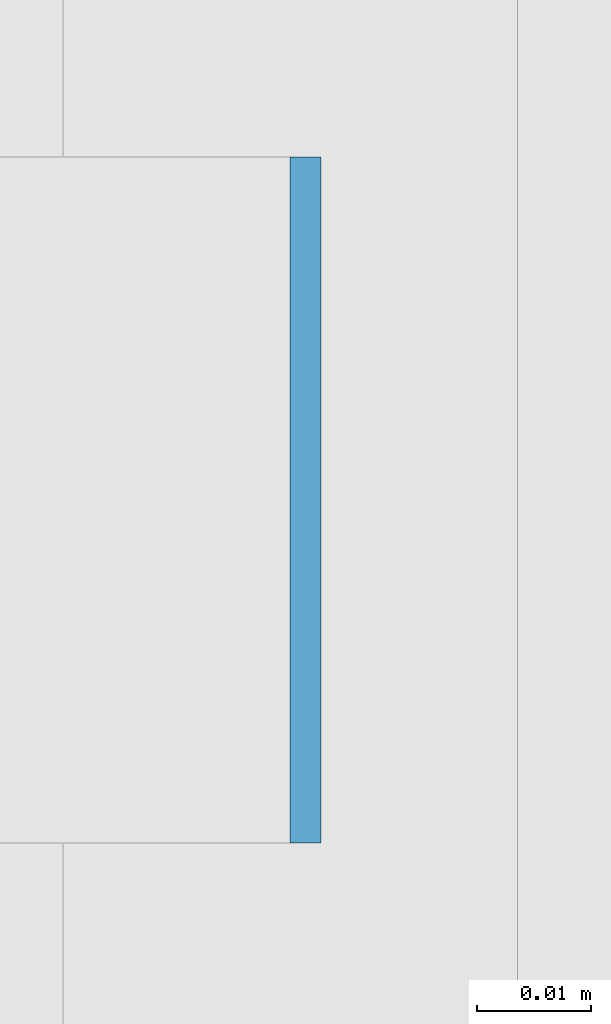
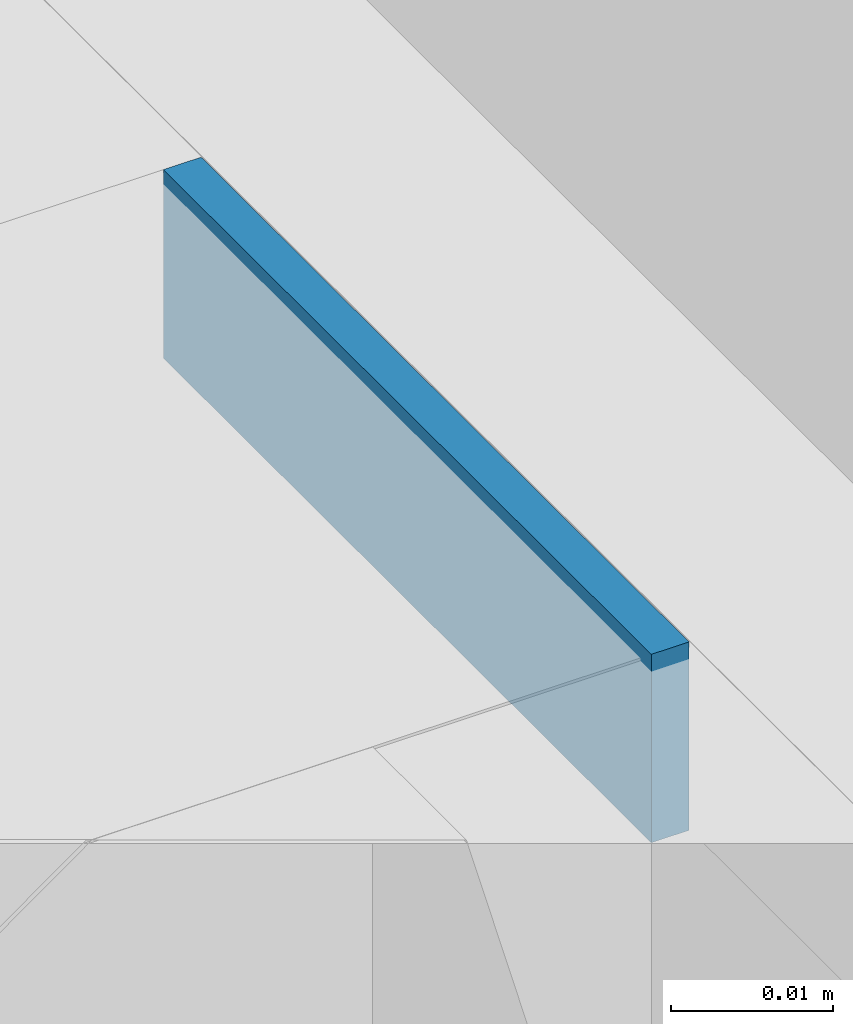
# One storey, part 293 of 646: 1 discrete accessory.
"""IFC4 building model written with IfcOpenShell, lengths in metres."""

import ifcopenshell
import ifcopenshell.guid

model = None  # the IFC model being written
_history = None  # IfcOwnerHistory: only IFC2X3 demands one
_inside = {}  # id of a spatial element -> (the spatial element, [elements in it])
_under = {}  # id of a project, library or spatial element -> (it, [spatial elements below it])
_declared = {}  # id of a project -> (the project, [libraries it declares])
_typed = {}  # id of a type object -> (the type object, [elements of that type])
_made_of = {}  # id of a material, layer set ... -> (it, [elements and type objects made of it])


def new_model(schema):
    """Start an empty IFC model of exactly this schema.

    Asked for "IFC4X3", IfcOpenShell would pick the latest addendum, in which some entities
    have other attributes; the version numbers below select the first issue.
    IFC2X3 requires an IfcOwnerHistory on every rooted entity: one is made here for all.
    """
    global model, _history
    if schema == "IFC4X3":
        model = ifcopenshell.file(schema_version=(4, 3, 0, 0))
    else:
        model = ifcopenshell.file(schema=schema)
    _inside.clear()
    _under.clear()
    _declared.clear()
    _typed.clear()
    _made_of.clear()
    _history = None
    if model.schema == "IFC2X3":
        org = make("IfcOrganization", Name="unknown")
        user = make(
            "IfcPersonAndOrganization",
            ThePerson=make("IfcPerson", FamilyName="unknown"),
            TheOrganization=org,
        )
        app = make(
            "IfcApplication",
            ApplicationDeveloper=org,
            Version="unknown",
            ApplicationFullName="unknown",
            ApplicationIdentifier="unknown",
        )
        _history = make(
            "IfcOwnerHistory",
            OwningUser=user,
            OwningApplication=app,
            ChangeAction="ADDED",
            CreationDate=0,
        )
    return model


def make(cls, **values):
    """One entity of the class cls with the attributes given. An attribute that is None is left unset."""
    return model.create_entity(
        cls, **{name: value for name, value in values.items() if value is not None}
    )


def rooted(cls, **values):
    """An entity with a GlobalId (a new one), such as an element, a storey or a relation."""
    return make(cls, GlobalId=ifcopenshell.guid.new(), OwnerHistory=_history, **values)


def si_unit(unit_type, name, prefix=None):
    """IfcSIUnit, for example si_unit("LENGTHUNIT", "METRE", prefix="MILLI")."""
    return make("IfcSIUnit", UnitType=unit_type, Prefix=prefix, Name=name)


def assignment(units):
    """IfcUnitAssignment: the units of a project."""
    return None if units is None else make("IfcUnitAssignment", Units=units)


def point(xyz):
    """IfcCartesianPoint."""
    return None if xyz is None else make("IfcCartesianPoint", Coordinates=xyz)


def direction(xyz):
    """IfcDirection."""
    return None if xyz is None else make("IfcDirection", DirectionRatios=xyz)


def frame(location, z_axis=None, x_axis=None):
    """IfcAxis2Placement3D, a coordinate frame: its origin and axes. An axis left out is left unset."""
    return make(
        "IfcAxis2Placement3D",
        Location=point(location),
        Axis=direction(z_axis),
        RefDirection=direction(x_axis),
    )


def frame_2d(location, x_axis=None):
    """IfcAxis2Placement2D, a coordinate frame in the plane: its origin and x axis."""
    return make(
        "IfcAxis2Placement2D", Location=point(location), RefDirection=direction(x_axis)
    )


def origin():
    """The frame at (0, 0, 0) with its axes left unset."""
    return frame((0.0, 0.0, 0.0))


def origin_2d():
    """The frame at (0, 0) in the plane with its x axis left unset."""
    return frame_2d((0.0, 0.0))


def place(relative_to, where):
    """IfcLocalPlacement: puts the frame where relative to a parent placement (None: the world)."""
    return make(
        "IfcLocalPlacement", PlacementRelTo=relative_to, RelativePlacement=where
    )


def context(
    kind, dimensions, precision=None, world=None, true_north=None, identifier=None
):
    """IfcGeometricRepresentationContext, for example the 3D "Model" context."""
    return make(
        "IfcGeometricRepresentationContext",
        ContextIdentifier=identifier,
        ContextType=kind,
        CoordinateSpaceDimension=dimensions,
        Precision=precision,
        WorldCoordinateSystem=world,
        TrueNorth=true_north,
    )


def subcontext(parent, identifier, kind, view, scale=None):
    """IfcGeometricRepresentationSubContext, for example "Body" below "Model"."""
    return make(
        "IfcGeometricRepresentationSubContext",
        ContextIdentifier=identifier,
        ContextType=kind,
        ParentContext=parent,
        TargetScale=scale,
        TargetView=view,
    )


def project(units=None, contexts=None):
    """IfcProject with its units and contexts."""
    return rooted(
        "IfcProject",
        Name="project",
        RepresentationContexts=contexts,
        UnitsInContext=assignment(units),
    )


def spatial(cls, under=None, at=None, **own):
    """A site, building, storey or space (cls), placed at a placement, below another one or the project."""
    s = rooted(cls, ObjectPlacement=at, **own)
    if under is not None:
        _under.setdefault(under.id(), (under, []))[1].append(s)
    return s


def profile(cls, at=None, kind="AREA", **sizes):
    """A parametric profile (cls). Its sizes go by their IFC names, for example OverallWidth=200.0."""
    return make(cls, ProfileType=kind, Position=at, **sizes)


def rectangle(**sizes):
    """IfcRectangleProfileDef."""
    return profile("IfcRectangleProfileDef", **sizes)


def extrude(swept, where, along, depth):
    """IfcExtrudedAreaSolid: the profile swept, set in the frame where, extruded along a direction by depth."""
    return make(
        "IfcExtrudedAreaSolid",
        SweptArea=swept,
        Position=where,
        ExtrudedDirection=direction(along),
        Depth=depth,
    )


def shape(context_of_items, identifier, shape_type, items):
    """IfcShapeRepresentation: the items that make up one representation, for example the "Body"."""
    return make(
        "IfcShapeRepresentation",
        ContextOfItems=context_of_items,
        RepresentationIdentifier=identifier,
        RepresentationType=shape_type,
        Items=items,
    )


def material(Name=None, Category=None):
    """IfcMaterial."""
    return make("IfcMaterial", Name=Name, Category=Category)


def made_of(thing, what):
    """Note that an element or type object is made of a material, layer set ...; save() writes the relation."""
    if what is not None:
        _made_of.setdefault(what.id(), (what, []))[1].append(thing)
    return thing


def type_object(cls, material=None, **own):
    """A type object (cls), such as IfcWallType, which elements share."""
    return made_of(rooted(cls, **own), material)


def element(
    cls,
    number,
    at=None,
    inside=None,
    cuts=None,
    type_object=None,
    material=None,
    context=None,
    identifier="Body",
    shape_type=None,
    held_by="IfcProductDefinitionShape",
    body=None,
    shapes=None,
    **own,
):
    """One element of the class cls, such as IfcWall. Its Tag is "e" and its number.

    at: its placement. inside: the storey or other place that contains it. cuts: it is an
    opening in that element (IfcRelVoidsElement). A single representation is given by context,
    identifier, shape_type and body (its items); several are given by shapes. held_by: the class
    of the entity that holds the representations. save() writes the other relations.
    """
    e = rooted(cls, Tag="e%d" % number, ObjectPlacement=at, **own)
    if body is not None:
        shapes = [shape(context, identifier, shape_type, body)]
    if shapes is not None:
        e.Representation = make(held_by, Representations=shapes)
    if inside is not None:
        _inside.setdefault(inside.id(), (inside, []))[1].append(e)
    if cuts is not None:
        rooted(
            "IfcRelVoidsElement", RelatingBuildingElement=cuts, RelatedOpeningElement=e
        )
    if type_object is not None:
        _typed.setdefault(type_object.id(), (type_object, []))[1].append(e)
    return made_of(e, material)


def aggregate(whole, parts):
    """IfcRelAggregates: a whole, such as a stair, and the parts it consists of."""
    return rooted("IfcRelAggregates", RelatingObject=whole, RelatedObjects=parts)


def save(model, path):
    """Write the relations noted so far, then the file.

    IfcRelAggregates (storeys below a building ...), IfcRelContainedInSpatialStructure (elements
    in a storey), IfcRelDefinesByType, IfcRelAssociatesMaterial and IfcRelDeclares: one each for
    every whole, place, type object, material and project.
    """
    for whole, parts in _under.values():
        aggregate(whole, parts)
    for where, things in _inside.values():
        rooted(
            "IfcRelContainedInSpatialStructure",
            RelatedElements=things,
            RelatingStructure=where,
        )
    for kind, things in _typed.values():
        rooted("IfcRelDefinesByType", RelatedObjects=things, RelatingType=kind)
    for what, things in _made_of.values():
        rooted("IfcRelAssociatesMaterial", RelatedObjects=things, RelatingMaterial=what)
    for by, libraries in _declared.values():
        rooted("IfcRelDeclares", RelatingContext=by, RelatedDefinitions=libraries)
    model.write(path)


model = new_model("IFC4")

# Units and contexts
model_context = context("Model", 3, precision=1e-05, world=origin(), true_north=direction((0.0, 1.0)))
body_context = subcontext(model_context, "Body", "Model", "MODEL_VIEW")
ifc_project = project(units=[si_unit("LENGTHUNIT", "METRE"), si_unit("AREAUNIT", "SQUARE_METRE"), si_unit("VOLUMEUNIT", "CUBIC_METRE"), si_unit("PLANEANGLEUNIT", "RADIAN"), si_unit("MASSUNIT", "GRAM", prefix="KILO")], contexts=[model_context])

# Site, building, storey
site_placement = place(None, origin())
site = spatial("IfcSite", under=ifc_project, at=site_placement, CompositionType="ELEMENT")
building_placement = place(site_placement, origin())
building = spatial("IfcBuilding", under=site, at=building_placement, Name="Silverbay Arena", CompositionType="ELEMENT")
storey_placement = place(building_placement, frame((0.0, 0.0, 33.5)))
storey = spatial("IfcBuildingStorey", under=building, at=storey_placement, Name="L05", CompositionType="ELEMENT", Elevation=33.5)

# Discrete accessory
ifc_material = material(Name="Steel S355", Category="steel")
discrete_accessory_type = type_object("IfcDiscreteAccessoryType", Name="Steel bracket plate", PredefinedType="BRACKET", material=ifc_material)
discrete_accessory_placement = place(storey_placement, frame((53.871337890625, 59.142822265625, 12.98583984375), z_axis=(0.0, 0.0, 1.0), x_axis=(1.0, 0.0, 0.0)))
element("IfcDiscreteAccessory", 1, at=discrete_accessory_placement, inside=storey, type_object=discrete_accessory_type, Name="Curtain wall packing plate", PredefinedType="BRACKET", context=body_context, shape_type="SweptSolid", body=[
    extrude(rectangle(XDim=0.002685546875, YDim=0.06005859375, at=origin_2d()), origin(), (0.0, 0.0, 1.0), 0.01416015625),
])

save(model, "model.ifc")
